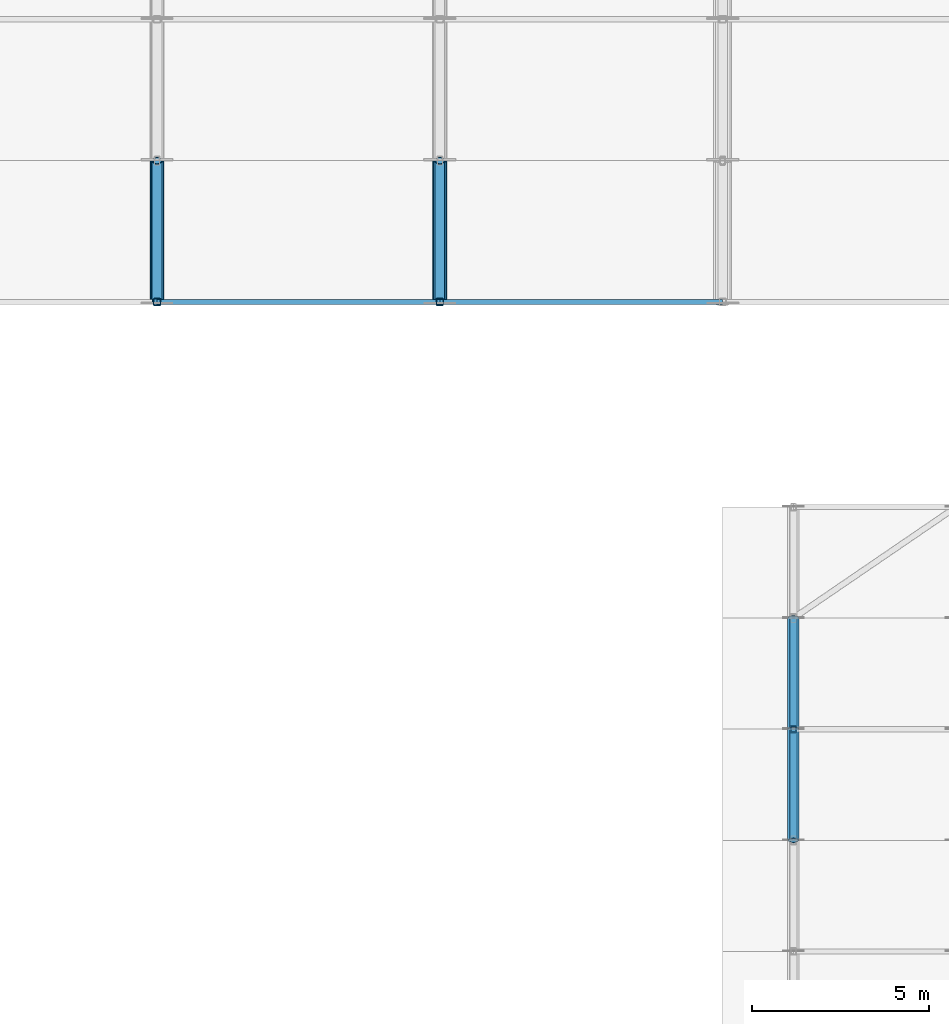
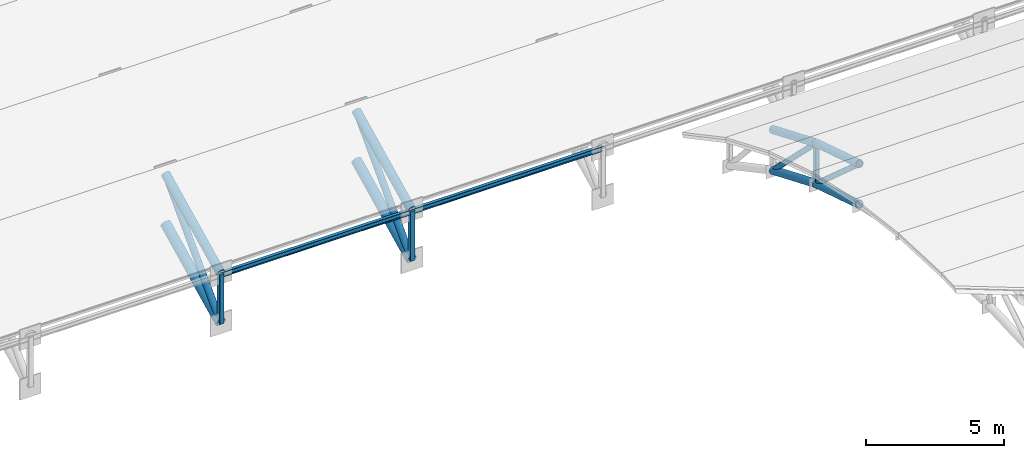
# One storey, part 42 of 98: 17 members.
"""IFC4 building model written with IfcOpenShell, lengths in metres."""

from ifc_helpers import new_model, si_unit, direction, frame, origin, origin_2d, place, context, subcontext, project, spatial, hollow_rectangle, hollow_circle, i_section, extrude, material, material_profile, profile_set, type_object, element, save


model = new_model("IFC4")

# Units and contexts
model_context = context("Model", 3, precision=1e-05, world=origin(), true_north=direction((0.0, 1.0)))
body_context = subcontext(model_context, "Body", "Model", "MODEL_VIEW")
ifc_project = project(units=[si_unit("LENGTHUNIT", "METRE"), si_unit("AREAUNIT", "SQUARE_METRE"), si_unit("VOLUMEUNIT", "CUBIC_METRE"), si_unit("PLANEANGLEUNIT", "RADIAN"), si_unit("MASSUNIT", "GRAM", prefix="KILO")], contexts=[model_context])

# Site, building, storey
site_placement = place(None, origin())
site = spatial("IfcSite", under=ifc_project, at=site_placement, CompositionType="ELEMENT")
building_placement = place(site_placement, origin())
building = spatial("IfcBuilding", under=site, at=building_placement, Name="Tlacozan Convention Centre", CompositionType="ELEMENT")
storey_placement = place(building_placement, frame((0.0, 0.0, 25.800048828125)))
storey = spatial("IfcBuildingStorey", under=building, at=storey_placement, Name="Roof", CompositionType="ELEMENT", Elevation=25.800048828125)

# Members
ifc_material_1 = material(Name="Steel ASTM A500 Grade C", Category="steel")
ifc_material_profile_1 = material_profile(ifc_material_1, hollow_circle(Radius=0.203125, WallThickness=0.015869140625, at=origin_2d()), Name="OC 406.4x15.9")
ifc_profile_set_1 = profile_set([ifc_material_profile_1], Name="Steel ASTM A500 Grade C")
member_type_1 = type_object("IfcMemberType", Name="Arch Bottom Chord OC 406.4x15.9", PredefinedType="CHORD", material=ifc_profile_set_1)
for number, where, z_axis, x_axis, name in (
    (1, (128.0, 62.0, -12.800048828125), (0.0, 0.897300183135, 0.441420866459), (-1.0, 0.0, 0.0), "V2A Roof Truss 17 Bottom Chord 1"),
    (2, (136.0, 62.0, -12.800048828125), (0.0, 0.897300183135, 0.441420866459), (-1.0, 0.0, 0.0), "V2A Roof Truss 18 Bottom Chord 1"),
):
    element("IfcMember", number, at=place(storey_placement, frame(where, z_axis=z_axis, x_axis=x_axis)), inside=storey, type_object=member_type_1, Name=name, PredefinedType="CHORD", context=body_context, shape_type="SweptSolid", body=[
        extrude(hollow_circle(Radius=0.203125, WallThickness=0.015869140625, at=origin_2d()), origin(), (0.0, 0.0, 1.0), 4.457763671875),
    ])
ifc_material_profile_2 = material_profile(ifc_material_1, hollow_circle(Radius=0.136474609375, WallThickness=0.0126953125, at=origin_2d()), Name="OC 273.1x12.7")
ifc_profile_set_2 = profile_set([ifc_material_profile_2], Name="Steel ASTM A500 Grade C")
member_type_2 = type_object("IfcMemberType", Name="Arch Web Diagonal OC 273.1x12.7", PredefinedType="BRACE", material=ifc_profile_set_2)
for number, where, z_axis, x_axis, name in (
    (3, (128.0, 62.0, -12.800048828125), (0.0, 0.69244032859, 0.721475149497), (-1.0, 0.0, 0.0), "V2A Roof Truss 17 Web Diagonal 1"),
    (4, (136.0, 62.0, -12.800048828125), (0.0, 0.69244032859, 0.721475149497), (-1.0, 0.0, 0.0), "V2A Roof Truss 18 Web Diagonal 1"),
):
    element("IfcMember", number, at=place(storey_placement, frame(where, z_axis=z_axis, x_axis=x_axis)), inside=storey, type_object=member_type_2, Name=name, PredefinedType="BRACE", context=body_context, shape_type="SweptSolid", body=[
        extrude(hollow_circle(Radius=0.136474609375, WallThickness=0.0126953125, at=origin_2d()), origin(), (0.0, 0.0, 1.0), 5.776611328125),
    ])
ifc_material_profile_3 = material_profile(ifc_material_1, hollow_rectangle(XDim=0.203125, YDim=0.203125, WallThickness=0.0126953125, InnerFilletRadius=0.0126953125, OuterFilletRadius=0.02490234375, at=origin_2d()), Name="OR 203x203x12.7")
ifc_profile_set_3 = profile_set([ifc_material_profile_3], Name="Steel ASTM A500 Grade C")
member_type_3 = type_object("IfcMemberType", Name="Arch Web Strut OR 203x203x12.7", PredefinedType="STRUT", material=ifc_profile_set_3)
for number, where, z_axis, x_axis, name in (
    (5, (128.0, 62.0, -12.800048828125), (0.0, 0.0, 1.0), (1.0, 0.0, 0.0), "V2A Roof Truss 17 Vertical Strut 1"),
    (6, (136.0, 62.0, -12.800048828125), (0.0, 0.0, 1.0), (1.0, 0.0, 0.0), "V2A Roof Truss 18 Vertical Strut 1"),
):
    element("IfcMember", number, at=place(storey_placement, frame(where, z_axis=z_axis, x_axis=x_axis)), inside=storey, type_object=member_type_3, Name=name, PredefinedType="STRUT", context=body_context, shape_type="SweptSolid", body=[
        extrude(hollow_rectangle(XDim=0.203125, YDim=0.203125, WallThickness=0.0126953125, InnerFilletRadius=0.0126953125, OuterFilletRadius=0.02490234375, at=origin_2d()), origin(), (0.0, 0.0, 1.0), 2.199951171875),
    ])
ifc_material_profile_4 = material_profile(ifc_material_1, hollow_circle(Radius=0.161865234375, WallThickness=0.0126953125, at=origin_2d()), Name="OC 323.9x12.7")
ifc_profile_set_4 = profile_set([ifc_material_profile_4], Name="Steel ASTM A500 Grade C")
member_type_4 = type_object("IfcMemberType", Name="Plenary Arch Chord OC 323.9x12.7", PredefinedType="CHORD", material=ifc_profile_set_4)
for number, where, z_axis, x_axis, name in (
    (7, (146.0, 46.77490234375, -2.82861328125), (0.0, 0.954132369199, -0.299385073186), (-1.0, 0.0, 0.0), "V3A Roof Truss 1 Top Chord 10"),
    (8, (146.0, 46.77490234375, -4.628662109375), (0.0, 0.954132369199, -0.299385073186), (-1.0, 0.0, 0.0), "V3A Roof Truss 1 Bottom Chord 10"),
):
    element("IfcMember", number, at=place(storey_placement, frame(where, z_axis=z_axis, x_axis=x_axis)), inside=storey, type_object=member_type_4, Name=name, PredefinedType="CHORD", context=body_context, shape_type="SweptSolid", body=[
        extrude(hollow_circle(Radius=0.161865234375, WallThickness=0.0126953125, at=origin_2d()), origin(), (0.0, 0.0, 1.0), 3.29296875),
    ])
for number, where, z_axis, x_axis, name in (
    (9, (146.0, 49.916748046875, -3.814453125), (0.0, 0.922941057271, -0.384941300464), (-1.0, 0.0, 0.0), "V3A Roof Truss 1 Top Chord 11"),
    (10, (146.0, 49.916748046875, -5.614501953125), (0.0, 0.922941057271, -0.384941300464), (-1.0, 0.0, 0.0), "V3A Roof Truss 1 Bottom Chord 11"),
):
    element("IfcMember", number, at=place(storey_placement, frame(where, z_axis=z_axis, x_axis=x_axis)), inside=storey, type_object=member_type_4, Name=name, PredefinedType="CHORD", context=body_context, shape_type="SweptSolid", body=[
        extrude(hollow_circle(Radius=0.161865234375, WallThickness=0.0126953125, at=origin_2d()), origin(), (0.0, 0.0, 1.0), 3.40380859375),
    ])
ifc_material_profile_5 = material_profile(ifc_material_1, hollow_circle(Radius=0.109619140625, WallThickness=0.009521484375, at=origin_2d()), Name="OC 219.1x9.5")
ifc_profile_set_5 = profile_set([ifc_material_profile_5], Name="Steel ASTM A500 Grade C")
member_type_5 = type_object("IfcMemberType", Name="Plenary Web Diagonal OC 219.1x9.5", PredefinedType="BRACE", material=ifc_profile_set_5)
member_1_placement = place(storey_placement, frame((146.0, 46.77490234375, -2.82861328125), z_axis=(0.0, 0.748220333314, -0.663450324302), x_axis=(-1.0, 0.0, 0.0)))
element("IfcMember", 11, at=member_1_placement, inside=storey, type_object=member_type_5, Name="V3A Roof Truss 1 Web Diagonal 10", PredefinedType="BRACE", context=body_context, shape_type="SweptSolid", body=[
    extrude(hollow_circle(Radius=0.109619140625, WallThickness=0.009521484375, at=origin_2d()), origin(), (0.0, 0.0, 1.0), 4.198974609375),
])
member_2_placement = place(storey_placement, frame((146.0, 49.916748046875, -3.814453125), z_axis=(0.0, 0.710632333284, -0.703563562794), x_axis=(-1.0, 0.0, 0.0)))
element("IfcMember", 12, at=member_2_placement, inside=storey, type_object=member_type_5, Name="V3A Roof Truss 1 Web Diagonal 11", PredefinedType="BRACE", context=body_context, shape_type="SweptSolid", body=[
    extrude(hollow_circle(Radius=0.109619140625, WallThickness=0.009521484375, at=origin_2d()), origin(), (0.0, 0.0, 1.0), 4.4208984375),
])
ifc_material_profile_6 = material_profile(ifc_material_1, hollow_rectangle(XDim=0.15234375, YDim=0.203125, WallThickness=0.009521484375, InnerFilletRadius=0.009521484375, OuterFilletRadius=0.01904296875, at=origin_2d()), Name="OR 203x152x9.5")
ifc_profile_set_6 = profile_set([ifc_material_profile_6], Name="Steel ASTM A500 Grade C")
member_type_6 = type_object("IfcMemberType", Name="Plenary Web Strut OR 203x152x9.5", PredefinedType="STRUT", material=ifc_profile_set_6)
member_3_placement = place(storey_placement, frame((146.0, 49.916748046875, -5.614501953125), z_axis=(0.0, 0.0, 1.0), x_axis=(1.0, 0.0, 0.0)))
element("IfcMember", 13, at=member_3_placement, inside=storey, type_object=member_type_6, Name="V3A Roof Truss 1 Vertical Strut 11", PredefinedType="STRUT", context=body_context, shape_type="SweptSolid", body=[
    extrude(hollow_rectangle(XDim=0.15234375, YDim=0.203125, WallThickness=0.009521484375, InnerFilletRadius=0.009521484375, OuterFilletRadius=0.01904296875, at=origin_2d()), origin(), (0.0, 0.0, 1.0), 1.800048828125),
])
ifc_material_profile_7 = material_profile(ifc_material_1, hollow_circle(Radius=0.177734375, WallThickness=0.015869140625, at=origin_2d()), Name="OC 355.6x15.9")
ifc_profile_set_7 = profile_set([ifc_material_profile_7], Name="Steel ASTM A500 Grade C")
member_type_7 = type_object("IfcMemberType", Name="Secondary Arch Chord OC 355.6x15.9", PredefinedType="CHORD", material=ifc_profile_set_7)
for number, where, z_axis, x_axis, name in (
    (14, (128.0, 62.0, -10.60009765625), (0.0, 0.897300183135, 0.441420866459), (-1.0, 0.0, 0.0), "V2A Roof Truss 17 Top Chord 1"),
    (15, (136.0, 62.0, -10.60009765625), (0.0, 0.897300183135, 0.441420866459), (-1.0, 0.0, 0.0), "V2A Roof Truss 18 Top Chord 1"),
):
    element("IfcMember", number, at=place(storey_placement, frame(where, z_axis=z_axis, x_axis=x_axis)), inside=storey, type_object=member_type_7, Name=name, PredefinedType="CHORD", context=body_context, shape_type="SweptSolid", body=[
        extrude(hollow_circle(Radius=0.177734375, WallThickness=0.015869140625, at=origin_2d()), origin(), (0.0, 0.0, 1.0), 4.457763671875),
    ])
ifc_material_2 = material(Name="Steel ASTM A992 Grade 50", Category="steel")
ifc_material_profile_8 = material_profile(ifc_material_2, i_section(OverallWidth=0.134033203125, OverallDepth=0.2099609375, WebThickness=0.00634765625, FlangeThickness=0.01025390625, FilletRadius=0.008056640625, at=origin_2d()), Name="IR 203x31.3")
ifc_profile_set_8 = profile_set([ifc_material_profile_8], Name="Steel ASTM A992 Grade 50")
member_type_8 = type_object("IfcMemberType", Name="Secondary Eave Purlin IR 203x31.3", PredefinedType="PURLIN", material=ifc_profile_set_8)
for number, where, z_axis, x_axis, name in (
    (16, (128.0, 62.0, -10.6650390625), (1.0, 0.0, 0.0), (0.0, 1.0, 0.0), "V2A Roof Truss Purlin 17.1"),
    (17, (136.0, 62.0, -10.6650390625), (1.0, 0.0, 0.0), (0.0, 1.0, 0.0), "V2A Roof Truss Purlin 18.1"),
):
    element("IfcMember", number, at=place(storey_placement, frame(where, z_axis=z_axis, x_axis=x_axis)), inside=storey, type_object=member_type_8, Name=name, PredefinedType="PURLIN", context=body_context, shape_type="SweptSolid", body=[
        extrude(i_section(OverallWidth=0.134033203125, OverallDepth=0.2099609375, WebThickness=0.00634765625, FlangeThickness=0.01025390625, FilletRadius=0.008056640625, at=origin_2d()), origin(), (0.0, 0.0, 1.0), 8.0),
    ])

save(model, "model.ifc")
